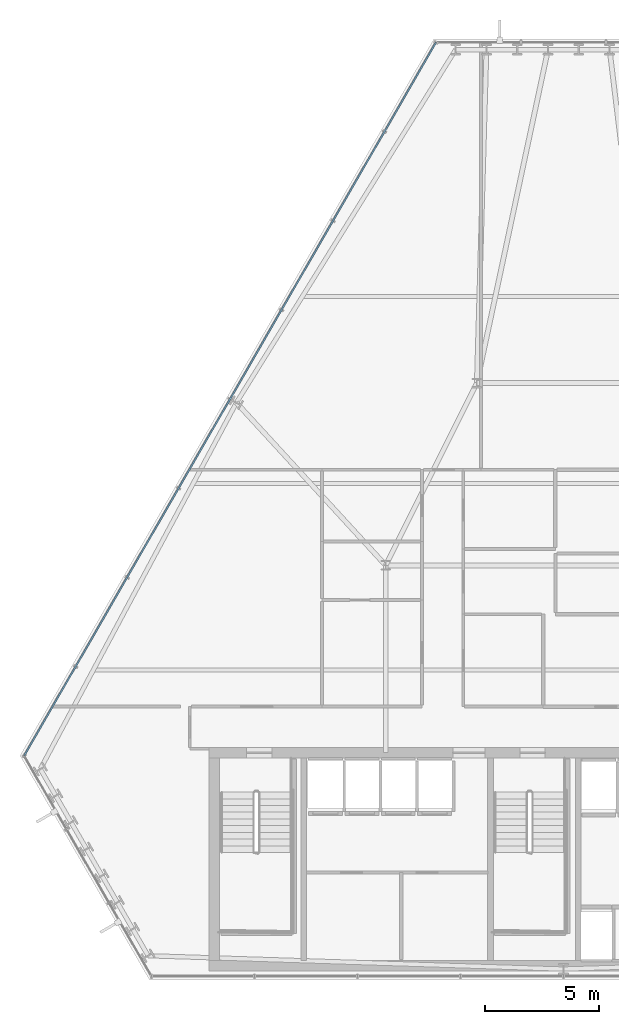
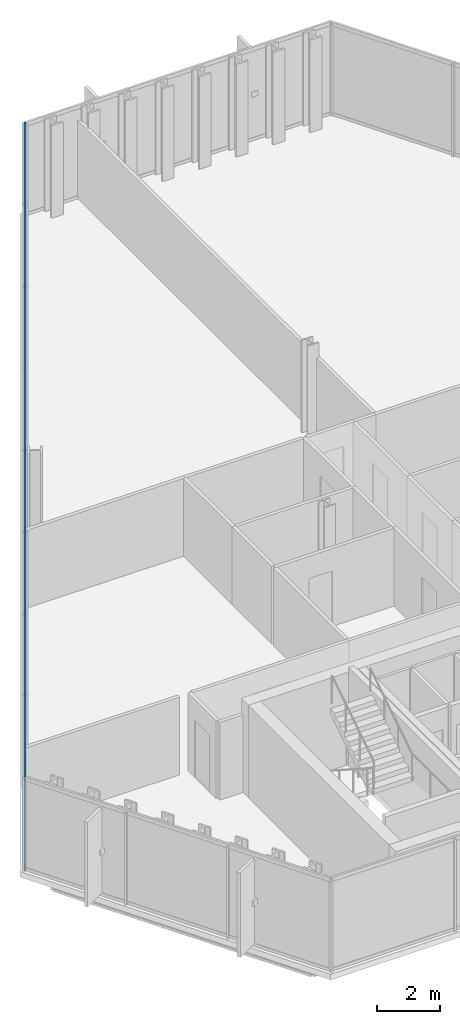
# One storey, part 13 of 33: 2 members, 1 element without a shape of its own.
"""IFC4 building model written with IfcOpenShell, lengths in metres."""

import ifcopenshell
import ifcopenshell.guid

model = None  # the IFC model being written
_history = None  # IfcOwnerHistory: only IFC2X3 demands one
_inside = {}  # id of a spatial element -> (the spatial element, [elements in it])
_under = {}  # id of a project, library or spatial element -> (it, [spatial elements below it])
_declared = {}  # id of a project -> (the project, [libraries it declares])
_typed = {}  # id of a type object -> (the type object, [elements of that type])
_made_of = {}  # id of a material, layer set ... -> (it, [elements and type objects made of it])


def new_model(schema):
    """Start an empty IFC model of exactly this schema.

    Asked for "IFC4X3", IfcOpenShell would pick the latest addendum, in which some entities
    have other attributes; the version numbers below select the first issue.
    IFC2X3 requires an IfcOwnerHistory on every rooted entity: one is made here for all.
    """
    global model, _history
    if schema == "IFC4X3":
        model = ifcopenshell.file(schema_version=(4, 3, 0, 0))
    else:
        model = ifcopenshell.file(schema=schema)
    _inside.clear()
    _under.clear()
    _declared.clear()
    _typed.clear()
    _made_of.clear()
    _history = None
    if model.schema == "IFC2X3":
        org = make("IfcOrganization", Name="unknown")
        user = make(
            "IfcPersonAndOrganization",
            ThePerson=make("IfcPerson", FamilyName="unknown"),
            TheOrganization=org,
        )
        app = make(
            "IfcApplication",
            ApplicationDeveloper=org,
            Version="unknown",
            ApplicationFullName="unknown",
            ApplicationIdentifier="unknown",
        )
        _history = make(
            "IfcOwnerHistory",
            OwningUser=user,
            OwningApplication=app,
            ChangeAction="ADDED",
            CreationDate=0,
        )
    return model


def make(cls, **values):
    """One entity of the class cls with the attributes given. An attribute that is None is left unset."""
    return model.create_entity(
        cls, **{name: value for name, value in values.items() if value is not None}
    )


def rooted(cls, **values):
    """An entity with a GlobalId (a new one), such as an element, a storey or a relation."""
    return make(cls, GlobalId=ifcopenshell.guid.new(), OwnerHistory=_history, **values)


def si_unit(unit_type, name, prefix=None):
    """IfcSIUnit, for example si_unit("LENGTHUNIT", "METRE", prefix="MILLI")."""
    return make("IfcSIUnit", UnitType=unit_type, Prefix=prefix, Name=name)


def assignment(units):
    """IfcUnitAssignment: the units of a project."""
    return None if units is None else make("IfcUnitAssignment", Units=units)


def point(xyz):
    """IfcCartesianPoint."""
    return None if xyz is None else make("IfcCartesianPoint", Coordinates=xyz)


def direction(xyz):
    """IfcDirection."""
    return None if xyz is None else make("IfcDirection", DirectionRatios=xyz)


def frame(location, z_axis=None, x_axis=None):
    """IfcAxis2Placement3D, a coordinate frame: its origin and axes. An axis left out is left unset."""
    return make(
        "IfcAxis2Placement3D",
        Location=point(location),
        Axis=direction(z_axis),
        RefDirection=direction(x_axis),
    )


def frame_2d(location, x_axis=None):
    """IfcAxis2Placement2D, a coordinate frame in the plane: its origin and x axis."""
    return make(
        "IfcAxis2Placement2D", Location=point(location), RefDirection=direction(x_axis)
    )


def origin():
    """The frame at (0, 0, 0) with its axes left unset."""
    return frame((0.0, 0.0, 0.0))


def origin_2d():
    """The frame at (0, 0) in the plane with its x axis left unset."""
    return frame_2d((0.0, 0.0))


def place(relative_to, where):
    """IfcLocalPlacement: puts the frame where relative to a parent placement (None: the world)."""
    return make(
        "IfcLocalPlacement", PlacementRelTo=relative_to, RelativePlacement=where
    )


def context(
    kind, dimensions, precision=None, world=None, true_north=None, identifier=None
):
    """IfcGeometricRepresentationContext, for example the 3D "Model" context."""
    return make(
        "IfcGeometricRepresentationContext",
        ContextIdentifier=identifier,
        ContextType=kind,
        CoordinateSpaceDimension=dimensions,
        Precision=precision,
        WorldCoordinateSystem=world,
        TrueNorth=true_north,
    )


def subcontext(parent, identifier, kind, view, scale=None):
    """IfcGeometricRepresentationSubContext, for example "Body" below "Model"."""
    return make(
        "IfcGeometricRepresentationSubContext",
        ContextIdentifier=identifier,
        ContextType=kind,
        ParentContext=parent,
        TargetScale=scale,
        TargetView=view,
    )


def project(units=None, contexts=None):
    """IfcProject with its units and contexts."""
    return rooted(
        "IfcProject",
        Name="project",
        RepresentationContexts=contexts,
        UnitsInContext=assignment(units),
    )


def spatial(cls, under=None, at=None, **own):
    """A site, building, storey or space (cls), placed at a placement, below another one or the project."""
    s = rooted(cls, ObjectPlacement=at, **own)
    if under is not None:
        _under.setdefault(under.id(), (under, []))[1].append(s)
    return s


def profile(cls, at=None, kind="AREA", **sizes):
    """A parametric profile (cls). Its sizes go by their IFC names, for example OverallWidth=200.0."""
    return make(cls, ProfileType=kind, Position=at, **sizes)


def hollow_rectangle(**sizes):
    """IfcRectangleHollowProfileDef."""
    return profile("IfcRectangleHollowProfileDef", **sizes)


def extrude(swept, where, along, depth):
    """IfcExtrudedAreaSolid: the profile swept, set in the frame where, extruded along a direction by depth."""
    return make(
        "IfcExtrudedAreaSolid",
        SweptArea=swept,
        Position=where,
        ExtrudedDirection=direction(along),
        Depth=depth,
    )


def shape(context_of_items, identifier, shape_type, items):
    """IfcShapeRepresentation: the items that make up one representation, for example the "Body"."""
    return make(
        "IfcShapeRepresentation",
        ContextOfItems=context_of_items,
        RepresentationIdentifier=identifier,
        RepresentationType=shape_type,
        Items=items,
    )


def material(Name=None, Category=None):
    """IfcMaterial."""
    return make("IfcMaterial", Name=Name, Category=Category)


def layer(
    of_material, thickness, ventilated=None, Name=None, Category=None, Priority=None
):
    """IfcMaterialLayer: one layer of a wall or slab, of a material (None: an air gap)."""
    return make(
        "IfcMaterialLayer",
        Material=of_material,
        LayerThickness=thickness,
        IsVentilated=ventilated,
        Name=Name,
        Category=Category,
        Priority=Priority,
    )


def layer_set(layers, Name=None):
    """IfcMaterialLayerSet."""
    return make("IfcMaterialLayerSet", MaterialLayers=layers, LayerSetName=Name)


def material_profile(
    of_material, cross_section, Name=None, Category=None, Priority=None
):
    """IfcMaterialProfile: a cross section and its material."""
    return make(
        "IfcMaterialProfile",
        Name=Name,
        Material=of_material,
        Profile=cross_section,
        Priority=Priority,
        Category=Category,
    )


def profile_set(profiles, Name=None, composite=None):
    """IfcMaterialProfileSet."""
    return make(
        "IfcMaterialProfileSet",
        Name=Name,
        MaterialProfiles=profiles,
        CompositeProfile=composite,
    )


def made_of(thing, what):
    """Note that an element or type object is made of a material, layer set ...; save() writes the relation."""
    if what is not None:
        _made_of.setdefault(what.id(), (what, []))[1].append(thing)
    return thing


def type_object(cls, material=None, **own):
    """A type object (cls), such as IfcWallType, which elements share."""
    return made_of(rooted(cls, **own), material)


def element(
    cls,
    number,
    at=None,
    inside=None,
    cuts=None,
    type_object=None,
    material=None,
    context=None,
    identifier="Body",
    shape_type=None,
    held_by="IfcProductDefinitionShape",
    body=None,
    shapes=None,
    **own,
):
    """One element of the class cls, such as IfcWall. Its Tag is "e" and its number.

    at: its placement. inside: the storey or other place that contains it. cuts: it is an
    opening in that element (IfcRelVoidsElement). A single representation is given by context,
    identifier, shape_type and body (its items); several are given by shapes. held_by: the class
    of the entity that holds the representations. save() writes the other relations.
    """
    e = rooted(cls, Tag="e%d" % number, ObjectPlacement=at, **own)
    if body is not None:
        shapes = [shape(context, identifier, shape_type, body)]
    if shapes is not None:
        e.Representation = make(held_by, Representations=shapes)
    if inside is not None:
        _inside.setdefault(inside.id(), (inside, []))[1].append(e)
    if cuts is not None:
        rooted(
            "IfcRelVoidsElement", RelatingBuildingElement=cuts, RelatedOpeningElement=e
        )
    if type_object is not None:
        _typed.setdefault(type_object.id(), (type_object, []))[1].append(e)
    return made_of(e, material)


def aggregate(whole, parts):
    """IfcRelAggregates: a whole, such as a stair, and the parts it consists of."""
    return rooted("IfcRelAggregates", RelatingObject=whole, RelatedObjects=parts)


def save(model, path):
    """Write the relations noted so far, then the file.

    IfcRelAggregates (storeys below a building ...), IfcRelContainedInSpatialStructure (elements
    in a storey), IfcRelDefinesByType, IfcRelAssociatesMaterial and IfcRelDeclares: one each for
    every whole, place, type object, material and project.
    """
    for whole, parts in _under.values():
        aggregate(whole, parts)
    for where, things in _inside.values():
        rooted(
            "IfcRelContainedInSpatialStructure",
            RelatedElements=things,
            RelatingStructure=where,
        )
    for kind, things in _typed.values():
        rooted("IfcRelDefinesByType", RelatedObjects=things, RelatingType=kind)
    for what, things in _made_of.values():
        rooted("IfcRelAssociatesMaterial", RelatedObjects=things, RelatingMaterial=what)
    for by, libraries in _declared.values():
        rooted("IfcRelDeclares", RelatingContext=by, RelatedDefinitions=libraries)
    model.write(path)


model = new_model("IFC4")

# Units and contexts
model_context = context("Model", 3, precision=1e-05, world=origin(), true_north=direction((0.0, 1.0)))
body_context = subcontext(model_context, "Body", "Model", "MODEL_VIEW")
ifc_project = project(units=[si_unit("LENGTHUNIT", "METRE"), si_unit("AREAUNIT", "SQUARE_METRE"), si_unit("VOLUMEUNIT", "CUBIC_METRE"), si_unit("PLANEANGLEUNIT", "RADIAN"), si_unit("MASSUNIT", "GRAM", prefix="KILO")], contexts=[model_context])

# Site, building, storey
site_placement = place(None, origin())
site = spatial("IfcSite", under=ifc_project, at=site_placement, CompositionType="ELEMENT")
building_placement = place(site_placement, origin())
building = spatial("IfcBuilding", under=site, at=building_placement, Name="Ndaravel Arena Tower", CompositionType="ELEMENT")
storey_placement = place(building_placement, frame((0.0, 0.0, 153.60009765625)))
storey = spatial("IfcBuildingStorey", under=building, at=storey_placement, Name="L36", CompositionType="ELEMENT", Elevation=153.60009765625)

# Curtain wall, members
ifc_material_1 = material(Name="Aluminium", Category="aluminium")
ifc_layer = layer(ifc_material_1, 0.179931640625)
ifc_layer_set = layer_set([ifc_layer], Name="Aluminium")
curtain_wall_type = type_object("IfcCurtainWallType", Name="CW-SYS-03", PredefinedType="NOTDEFINED", material=ifc_layer_set)
curtain_wall_placement = place(storey_placement, origin())
curtain_wall = element("IfcCurtainWall", 1, at=curtain_wall_placement, inside=storey, type_object=curtain_wall_type, Name="L36 Faceted Crystal Curtain Wall CW-L36-E05", PredefinedType="NOTDEFINED")
ifc_material_2 = material(Name="Aluminium", Category="aluminium")
ifc_material_profile = material_profile(ifc_material_2, hollow_rectangle(XDim=0.074951171875, YDim=0.14990234375, WallThickness=0.00390625, at=origin_2d()), Name="CW TRANSOM 75x150x4")
ifc_profile_set = profile_set([ifc_material_profile], Name="Aluminium")
member_type = type_object("IfcMemberType", Name="MEM-CW-TRN150", PredefinedType="USERDEFINED", material=ifc_profile_set)
member_1_placement = place(storey_placement, frame((36.408203125, 46.15380859375, 0.039794921875), z_axis=(-0.500000905754, -0.866024880846, 0.0), x_axis=(0.866024880846, -0.500000905754, 0.0)))
member_1 = element("IfcMember", 2, at=member_1_placement, type_object=member_type, Name="CW-L36-E05 Transom 01", ObjectType="TRANSOM", PredefinedType="USERDEFINED", context=body_context, shape_type="SweptSolid", body=[
    extrude(hollow_rectangle(XDim=0.074951171875, YDim=0.14990234375, WallThickness=0.00390625, at=origin_2d()), origin(), (0.0, 0.0, 1.0), 36.15185546875),
])
member_2_placement = place(storey_placement, frame((36.408203125, 46.15380859375, 3.539794921875), z_axis=(-0.500000905754, -0.866024880846, 0.0), x_axis=(0.866024880846, -0.500000905754, 0.0)))
member_2 = element("IfcMember", 3, at=member_2_placement, type_object=member_type, Name="CW-L36-E05 Transom 02", ObjectType="TRANSOM", PredefinedType="USERDEFINED", context=body_context, shape_type="SweptSolid", body=[
    extrude(hollow_rectangle(XDim=0.074951171875, YDim=0.14990234375, WallThickness=0.00390625, at=origin_2d()), origin(), (0.0, 0.0, 1.0), 36.15185546875),
])
aggregate(curtain_wall, [member_1, member_2])

save(model, "model.ifc")
